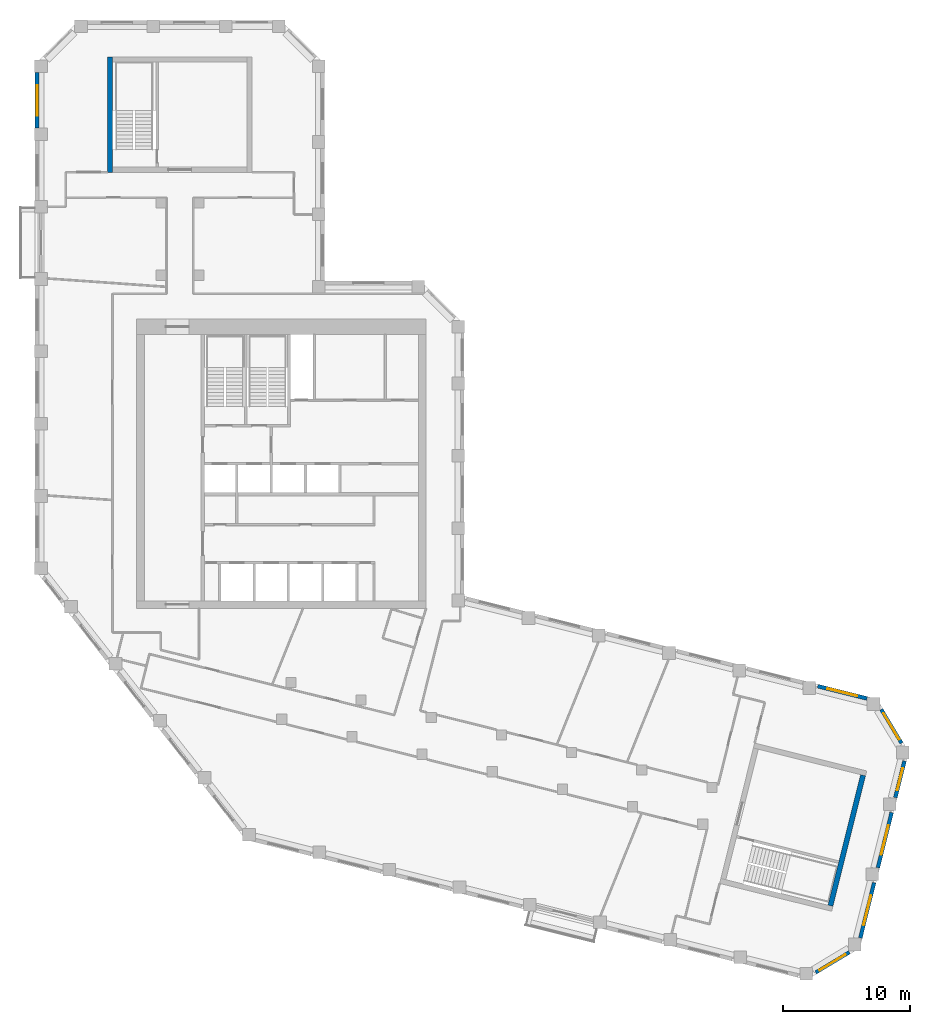
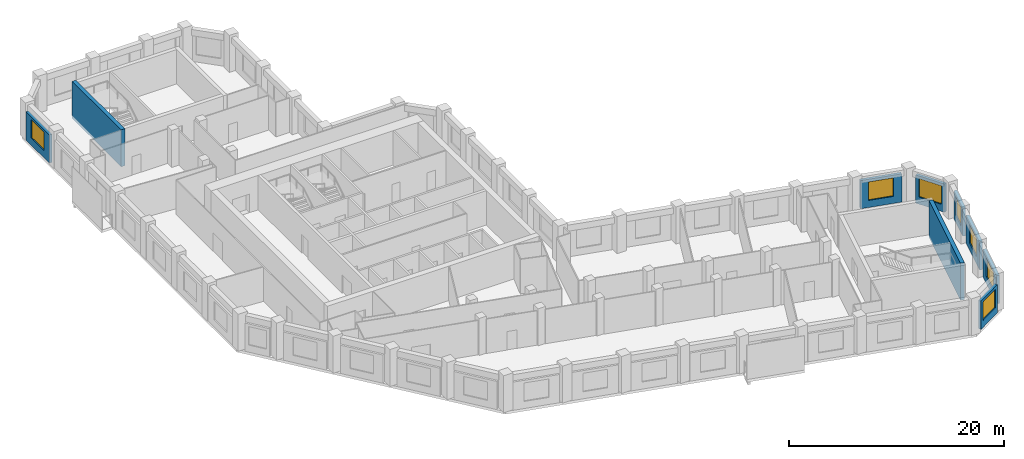
# One storey, part 7 of 9: 9 walls, 7 windows, 7 openings.
"""IFC4 building model written with IfcOpenShell, lengths in metres."""

from ifc_helpers import new_model, si_unit, direction, frame, frame_2d, origin, place, context, subcontext, project, spatial, rectangle, extrude, material, layer, layer_set, type_object, element, fill, save


model = new_model("IFC4")

# Units and contexts
model_context = context("Model", 3, precision=1e-05, world=origin(), true_north=direction((0.0, 1.0)))
body_context = subcontext(model_context, "Body", "Model", "MODEL_VIEW")
ifc_project = project(units=[si_unit("LENGTHUNIT", "METRE"), si_unit("AREAUNIT", "SQUARE_METRE"), si_unit("VOLUMEUNIT", "CUBIC_METRE"), si_unit("PLANEANGLEUNIT", "RADIAN"), si_unit("MASSUNIT", "GRAM", prefix="KILO")], contexts=[model_context])

# Site, building, storey
site_placement = place(None, origin())
site = spatial("IfcSite", under=ifc_project, at=site_placement, CompositionType="ELEMENT")
building_placement = place(site_placement, origin())
building = spatial("IfcBuilding", under=site, at=building_placement, Name="Meshkara Civic Tower", CompositionType="ELEMENT")
storey_placement = place(building_placement, frame((0.0, 0.0, 302.39990234375)))
storey = spatial("IfcBuildingStorey", under=building, at=storey_placement, Name="L69", CompositionType="ELEMENT", Elevation=302.39990234375)

# Wall, opening, window
ifc_material_1 = material(Name="Insulated infill panel with bronze anodised aluminium cladding", Category="aluminium")
ifc_layer_1 = layer(ifc_material_1, 0.300048828125)
ifc_layer_set_1 = layer_set([ifc_layer_1], Name="EXTERNAL INFILL WALL 300")
wall_type_1 = type_object("IfcWallType", Name="EXTERNAL INFILL WALL 300", PredefinedType="SOLIDWALL", material=ifc_layer_set_1)
wall_1_placement = place(storey_placement, frame((65.548095703125, 7.0, 0.0), z_axis=(0.0, 0.0, 1.0), x_axis=(-0.970260773365, 0.242062040951, 0.0)))
wall_1 = element("IfcWall", 1, at=wall_1_placement, inside=storey, type_object=wall_type_1, Name="External wall", PredefinedType="SOLIDWALL", context=body_context, shape_type="SweptSolid", body=[
    extrude(rectangle(XDim=4.003173828125, YDim=0.300048828125, at=frame_2d((2.00146484375, 0.0))), origin(), (0.0, 0.0, 1.0), 3.2001953125),
])
opening_1_placement = place(wall_1_placement, frame((0.801025390625, 0.0, 0.800048828125)))
opening_1 = element("IfcOpeningElement", 2, at=opening_1_placement, cuts=wall_1, Name="Opening W7", PredefinedType="OPENING", context=body_context, shape_type="SweptSolid", body=[
    extrude(rectangle(XDim=2.39990234375, YDim=2.10009765625, at=frame_2d((1.199951171875, 1.050048828125))), frame((0.0, 0.159912109375, 0.0), z_axis=(0.0, -1.0, 0.0), x_axis=(1.0, 0.0, 0.0)), (0.0, 0.0, 1.0), 0.320068359375),
])
ifc_material_2 = material(Name="Tinted double glazing", Category="glass")
window_type_1 = type_object("IfcWindowType", Name="WINDOW 2400x2100", PartitioningType="DOUBLE_PANEL_VERTICAL", PredefinedType="WINDOW", material=ifc_material_2)
window_1_placement = place(opening_1_placement, origin())
window_1 = element("IfcWindow", 3, at=window_1_placement, inside=storey, type_object=window_type_1, Name="Window", OverallHeight=2.10009765625, OverallWidth=2.39990234375, PartitioningType="DOUBLE_PANEL_VERTICAL", PredefinedType="WINDOW", context=body_context, shape_type="SweptSolid", body=[
    extrude(rectangle(XDim=2.39990234375, YDim=2.10009765625, at=frame_2d((1.199951171875, 1.050048828125))), frame((0.0, 0.030029296875, 0.0), z_axis=(0.0, -1.0, 0.0), x_axis=(1.0, 0.0, 0.0)), (0.0, 0.0, 1.0), 0.06005859375),
])
fill(opening_1, window_1)

wall_2_placement = place(storey_placement, frame((0.14990234375, 56.31396484375, 0.0), z_axis=(0.0, 0.0, 1.0), x_axis=(0.0, -1.0, 0.0)))
wall_2 = element("IfcWall", 4, at=wall_2_placement, inside=storey, type_object=wall_type_1, Name="External wall", PredefinedType="SOLIDWALL", context=body_context, shape_type="SweptSolid", body=[
    extrude(rectangle(XDim=4.35888671875, YDim=0.300048828125, at=frame_2d((2.179443359375, 0.0))), origin(), (0.0, 0.0, 1.0), 3.2001953125),
])
opening_2_placement = place(wall_2_placement, frame((0.97998046875, 0.0, 0.800048828125)))
opening_2 = element("IfcOpeningElement", 5, at=opening_2_placement, cuts=wall_2, Name="Opening W7", PredefinedType="OPENING", context=body_context, shape_type="SweptSolid", body=[
    extrude(rectangle(XDim=2.39990234375, YDim=2.10009765625, at=frame_2d((1.199951171875, 1.050048828125))), frame((0.0, 0.159912109375, 0.0), z_axis=(0.0, -1.0, 0.0), x_axis=(1.0, 0.0, 0.0)), (0.0, 0.0, 1.0), 0.320068359375),
])
window_2_placement = place(opening_2_placement, origin())
window_2 = element("IfcWindow", 6, at=window_2_placement, inside=storey, type_object=window_type_1, Name="Window", OverallHeight=2.10009765625, OverallWidth=2.39990234375, PartitioningType="DOUBLE_PANEL_VERTICAL", PredefinedType="WINDOW", context=body_context, shape_type="SweptSolid", body=[
    extrude(rectangle(XDim=2.39990234375, YDim=2.10009765625, at=frame_2d((1.199951171875, 1.050048828125))), frame((0.0, 0.030029296875, 0.0), z_axis=(0.0, -1.0, 0.0), x_axis=(1.0, 0.0, 0.0)), (0.0, 0.0, 1.0), 0.06005859375),
])
fill(opening_2, window_2)

wall_3_placement = place(storey_placement, frame((61.509033203125, -14.591064453125, 0.0), z_axis=(0.0, 0.0, 1.0), x_axis=(0.856969799001, 0.515366630275, 0.0)))
wall_3 = element("IfcWall", 7, at=wall_3_placement, inside=storey, type_object=wall_type_1, Name="External wall", PredefinedType="SOLIDWALL", context=body_context, shape_type="SweptSolid", body=[
    extrude(rectangle(XDim=3.091064453125, YDim=0.300048828125, at=frame_2d((1.54541015625, 0.0))), origin(), (0.0, 0.0, 1.0), 3.2001953125),
])
opening_3_placement = place(wall_3_placement, frame((0.344970703125, 0.0, 0.800048828125)))
opening_3 = element("IfcOpeningElement", 8, at=opening_3_placement, cuts=wall_3, Name="Opening W7", PredefinedType="OPENING", context=body_context, shape_type="SweptSolid", body=[
    extrude(rectangle(XDim=2.39990234375, YDim=2.10009765625, at=frame_2d((1.199951171875, 1.050048828125))), frame((0.0, 0.159912109375, 0.0), z_axis=(0.0, -1.0, 0.0), x_axis=(1.0, 0.0, 0.0)), (0.0, 0.0, 1.0), 0.320068359375),
])
window_3_placement = place(opening_3_placement, origin())
window_3 = element("IfcWindow", 9, at=window_3_placement, inside=storey, type_object=window_type_1, Name="Window", OverallHeight=2.10009765625, OverallWidth=2.39990234375, PartitioningType="DOUBLE_PANEL_VERTICAL", PredefinedType="WINDOW", context=body_context, shape_type="SweptSolid", body=[
    extrude(rectangle(XDim=2.39990234375, YDim=2.10009765625, at=frame_2d((1.199951171875, 1.050048828125))), frame((0.0, 0.030029296875, 0.0), z_axis=(0.0, -1.0, 0.0), x_axis=(1.0, 0.0, 0.0)), (0.0, 0.0, 1.0), 0.06005859375),
])
fill(opening_3, window_3)

wall_4_placement = place(storey_placement, frame((65.029052734375, -11.8720703125, 0.0), z_axis=(0.0, 0.0, 1.0), x_axis=(0.241946839653, 0.970289506684, 0.0)))
wall_4 = element("IfcWall", 10, at=wall_4_placement, inside=storey, type_object=wall_type_1, Name="External wall", PredefinedType="SOLIDWALL", context=body_context, shape_type="SweptSolid", body=[
    extrude(rectangle(XDim=4.48828125, YDim=0.300048828125, at=frame_2d((2.244140625, 0.0))), origin(), (0.0, 0.0, 1.0), 3.2001953125),
])
opening_4_placement = place(wall_4_placement, frame((1.0439453125, 0.0, 0.800048828125)))
opening_4 = element("IfcOpeningElement", 11, at=opening_4_placement, cuts=wall_4, Name="Opening W7", PredefinedType="OPENING", context=body_context, shape_type="SweptSolid", body=[
    extrude(rectangle(XDim=2.39990234375, YDim=2.10009765625, at=frame_2d((1.199951171875, 1.050048828125))), frame((0.0, 0.159912109375, 0.0), z_axis=(0.0, -1.0, 0.0), x_axis=(1.0, 0.0, 0.0)), (0.0, 0.0, 1.0), 0.320068359375),
])
window_4_placement = place(opening_4_placement, origin())
window_4 = element("IfcWindow", 12, at=window_4_placement, inside=storey, type_object=window_type_1, Name="Window", OverallHeight=2.10009765625, OverallWidth=2.39990234375, PartitioningType="DOUBLE_PANEL_VERTICAL", PredefinedType="WINDOW", context=body_context, shape_type="SweptSolid", body=[
    extrude(rectangle(XDim=2.39990234375, YDim=2.10009765625, at=frame_2d((1.199951171875, 1.050048828125))), frame((0.0, 0.030029296875, 0.0), z_axis=(0.0, -1.0, 0.0), x_axis=(1.0, 0.0, 0.0)), (0.0, 0.0, 1.0), 0.06005859375),
])
fill(opening_4, window_4)

wall_5_placement = place(storey_placement, frame((66.407958984375, -6.341064453125, 0.0), z_axis=(0.0, 0.0, 1.0), x_axis=(0.241997928406, 0.970276766004, 0.0)))
wall_5 = element("IfcWall", 13, at=wall_5_placement, inside=storey, type_object=wall_type_1, Name="External wall", PredefinedType="SOLIDWALL", context=body_context, shape_type="SweptSolid", body=[
    extrude(rectangle(XDim=4.4873046875, YDim=0.300048828125, at=frame_2d((2.24365234375, 0.0))), origin(), (0.0, 0.0, 1.0), 3.2001953125),
])
opening_5_placement = place(wall_5_placement, frame((1.0439453125, 0.0, 0.800048828125)))
opening_5 = element("IfcOpeningElement", 14, at=opening_5_placement, cuts=wall_5, Name="Opening W7", PredefinedType="OPENING", context=body_context, shape_type="SweptSolid", body=[
    extrude(rectangle(XDim=2.39990234375, YDim=2.10009765625, at=frame_2d((1.199951171875, 1.050048828125))), frame((0.0, 0.159912109375, 0.0), z_axis=(0.0, -1.0, 0.0), x_axis=(1.0, 0.0, 0.0)), (0.0, 0.0, 1.0), 0.320068359375),
])
window_5_placement = place(opening_5_placement, origin())
window_5 = element("IfcWindow", 15, at=window_5_placement, inside=storey, type_object=window_type_1, Name="Window", OverallHeight=2.10009765625, OverallWidth=2.39990234375, PartitioningType="DOUBLE_PANEL_VERTICAL", PredefinedType="WINDOW", context=body_context, shape_type="SweptSolid", body=[
    extrude(rectangle(XDim=2.39990234375, YDim=2.10009765625, at=frame_2d((1.199951171875, 1.050048828125))), frame((0.0, 0.030029296875, 0.0), z_axis=(0.0, -1.0, 0.0), x_axis=(1.0, 0.0, 0.0)), (0.0, 0.0, 1.0), 0.06005859375),
])
fill(opening_5, window_5)

wall_6_placement = place(storey_placement, frame((67.787109375, -0.81103515625, 0.0), z_axis=(0.0, 0.0, 1.0), x_axis=(0.242052773757, 0.970263085311, 0.0)))
wall_6 = element("IfcWall", 16, at=wall_6_placement, inside=storey, type_object=wall_type_1, Name="External wall", PredefinedType="SOLIDWALL", context=body_context, shape_type="SweptSolid", body=[
    extrude(rectangle(XDim=2.974365234375, YDim=0.300048828125, at=frame_2d((1.4873046875, 0.0))), origin(), (0.0, 0.0, 1.0), 3.2001953125),
])
opening_6_placement = place(wall_6_placement, frame((0.5869140625, 0.0, 0.800048828125)))
opening_6 = element("IfcOpeningElement", 17, at=opening_6_placement, cuts=wall_6, Name="Opening W9", PredefinedType="OPENING", context=body_context, shape_type="SweptSolid", body=[
    extrude(rectangle(XDim=1.800048828125, YDim=2.10009765625, at=frame_2d((0.89990234375, 1.050048828125))), frame((0.0, 0.159912109375, 0.0), z_axis=(0.0, -1.0, 0.0), x_axis=(1.0, 0.0, 0.0)), (0.0, 0.0, 1.0), 0.320068359375),
])
ifc_material_3 = material(Name="Tinted double glazing", Category="glass")
window_type_2 = type_object("IfcWindowType", Name="WINDOW 1800x2100", PartitioningType="DOUBLE_PANEL_VERTICAL", PredefinedType="WINDOW", material=ifc_material_3)
window_6_placement = place(opening_6_placement, origin())
window_6 = element("IfcWindow", 18, at=window_6_placement, inside=storey, type_object=window_type_2, Name="Window", OverallHeight=2.10009765625, OverallWidth=1.800048828125, PartitioningType="DOUBLE_PANEL_VERTICAL", PredefinedType="WINDOW", context=body_context, shape_type="SweptSolid", body=[
    extrude(rectangle(XDim=1.800048828125, YDim=2.10009765625, at=frame_2d((0.89990234375, 1.050048828125))), frame((0.0, 0.030029296875, 0.0), z_axis=(0.0, -1.0, 0.0), x_axis=(1.0, 0.0, 0.0)), (0.0, 0.0, 1.0), 0.06005859375),
])
fill(opening_6, window_6)

wall_7_placement = place(storey_placement, frame((68.26611328125, 3.47900390625, 0.0), z_axis=(0.0, 0.0, 1.0), x_axis=(-0.514995068029, 0.857193140375, 0.0)))
wall_7 = element("IfcWall", 19, at=wall_7_placement, inside=storey, type_object=wall_type_1, Name="External wall", PredefinedType="SOLIDWALL", context=body_context, shape_type="SweptSolid", body=[
    extrude(rectangle(XDim=3.09130859375, YDim=0.300048828125, at=frame_2d((1.545654296875, 0.0))), origin(), (0.0, 0.0, 1.0), 3.2001953125),
])
opening_7_placement = place(wall_7_placement, frame((0.345947265625, 0.0, 0.800048828125)))
opening_7 = element("IfcOpeningElement", 20, at=opening_7_placement, cuts=wall_7, Name="Opening W7", PredefinedType="OPENING", context=body_context, shape_type="SweptSolid", body=[
    extrude(rectangle(XDim=2.39990234375, YDim=2.10009765625, at=frame_2d((1.199951171875, 1.050048828125))), frame((0.0, 0.159912109375, 0.0), z_axis=(0.0, -1.0, 0.0), x_axis=(1.0, 0.0, 0.0)), (0.0, 0.0, 1.0), 0.320068359375),
])
window_7_placement = place(opening_7_placement, origin())
window_7 = element("IfcWindow", 21, at=window_7_placement, inside=storey, type_object=window_type_1, Name="Window", OverallHeight=2.10009765625, OverallWidth=2.39990234375, PartitioningType="DOUBLE_PANEL_VERTICAL", PredefinedType="WINDOW", context=body_context, shape_type="SweptSolid", body=[
    extrude(rectangle(XDim=2.39990234375, YDim=2.10009765625, at=frame_2d((1.199951171875, 1.050048828125))), frame((0.0, 0.030029296875, 0.0), z_axis=(0.0, -1.0, 0.0), x_axis=(1.0, 0.0, 0.0)), (0.0, 0.0, 1.0), 0.06005859375),
])
fill(opening_7, window_7)

# Walls
ifc_material_4 = material(Name="Concrete C60", Category="concrete")
ifc_layer_2 = layer(ifc_material_4, 0.39990234375)
ifc_layer_set_2 = layer_set([ifc_layer_2], Name="End core ring wall 400 C60")
wall_type_2 = type_object("IfcWallType", Name="End core ring wall 400 C60", PredefinedType="SHEAR", material=ifc_layer_set_2)
wall_8_placement = place(storey_placement, frame((5.89990234375, 48.469970703125, -0.2998046875), z_axis=(0.0, 0.0, 1.0), x_axis=(0.0, 1.0, 0.0)))
element("IfcWall", 22, at=wall_8_placement, inside=storey, type_object=wall_type_2, Name="L69-C027", PredefinedType="SHEAR", context=body_context, shape_type="SweptSolid", body=[
    extrude(rectangle(XDim=9.10009765625, YDim=0.39990234375, at=frame_2d((4.550048828125, 0.0))), origin(), (0.0, 0.0, 1.0), 4.199951171875),
])
wall_9_placement = place(storey_placement, frame((62.672119140625, -9.339111328125, -0.2998046875), z_axis=(0.0, 0.0, 1.0), x_axis=(0.241971982666, 0.970283236795, 0.0)))
element("IfcWall", 23, at=wall_9_placement, inside=storey, type_object=wall_type_2, Name="L69-C035", PredefinedType="SHEAR", context=body_context, shape_type="SweptSolid", body=[
    extrude(rectangle(XDim=10.60009765625, YDim=0.39990234375, at=frame_2d((5.300048828125, 0.0))), origin(), (0.0, 0.0, 1.0), 4.199951171875),
])

save(model, "model.ifc")
